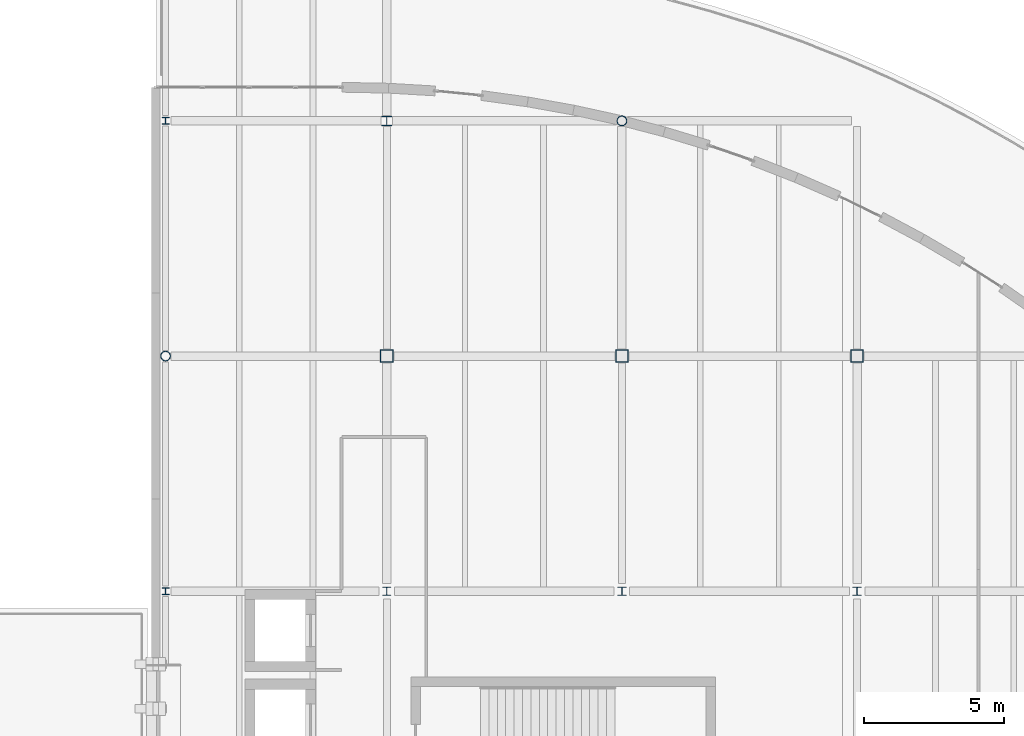
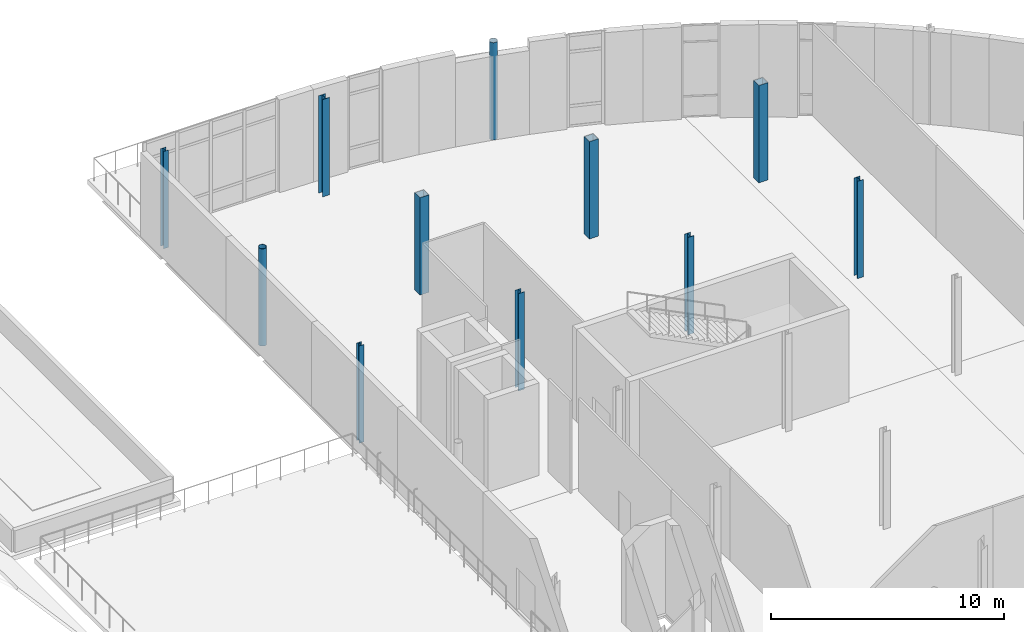
# One storey, part 11 of 91: 11 columns.
"""IFC4 building model written with IfcOpenShell, lengths in metres."""

from ifc_helpers import new_model, si_unit, direction, frame, origin, origin_2d, place, context, subcontext, project, spatial, hollow_rectangle, hollow_circle, i_section, extrude, material, material_profile, profile_set, type_object, element, save


model = new_model("IFC4")

# Units and contexts
model_context = context("Model", 3, precision=1e-05, world=origin(), true_north=direction((0.0, 1.0)))
body_context = subcontext(model_context, "Body", "Model", "MODEL_VIEW")
ifc_project = project(units=[si_unit("LENGTHUNIT", "METRE"), si_unit("AREAUNIT", "SQUARE_METRE"), si_unit("VOLUMEUNIT", "CUBIC_METRE"), si_unit("PLANEANGLEUNIT", "RADIAN"), si_unit("MASSUNIT", "GRAM", prefix="KILO"), si_unit("THERMODYNAMICTEMPERATUREUNIT", "KELVIN")], contexts=[model_context])

# Site, building, storey
site_placement = place(None, origin())
site = spatial("IfcSite", under=ifc_project, at=site_placement, CompositionType="ELEMENT")
building_placement = place(site_placement, origin())
building = spatial("IfcBuilding", under=site, at=building_placement, Name="Lustrewick Department Store", CompositionType="ELEMENT")
storey_placement = place(building_placement, frame((0.0, 0.0, 21.60009765625)))
storey = spatial("IfcBuildingStorey", under=building, at=storey_placement, Name="L05", CompositionType="ELEMENT", Elevation=21.60009765625)

# Columns
ifc_material = material(Name="Structural steel Q355B", Category="steel")
ifc_material_profile_1 = material_profile(ifc_material, hollow_rectangle(XDim=0.449951171875, YDim=0.449951171875, WallThickness=0.01806640625, at=origin_2d()), Name="BOX 450x450x18")
ifc_profile_set_1 = profile_set([ifc_material_profile_1], Name="Structural steel Q355B")
column_type_1 = type_object("IfcColumnType", Name="C07", PredefinedType="COLUMN", material=ifc_profile_set_1)
for number, where, z_axis, x_axis, name in (
    (1, (117.60009765625, 92.39990234375, 0.0), (0.0, 0.0, 1.0), (1.0, 0.0, 0.0), "L05 V4 Column C07"),
    (2, (126.0, 92.39990234375, 0.0), (0.0, 0.0, 1.0), (1.0, 0.0, 0.0), "L05 V4 Column C07"),
    (3, (134.39990234375, 92.39990234375, 0.0), (0.0, 0.0, 1.0), (1.0, 0.0, 0.0), "L05 V4 Column C07"),
):
    element("IfcColumn", number, at=place(storey_placement, frame(where, z_axis=z_axis, x_axis=x_axis)), inside=storey, type_object=column_type_1, Name=name, PredefinedType="COLUMN", context=body_context, shape_type="SweptSolid", body=[
        extrude(hollow_rectangle(XDim=0.449951171875, YDim=0.449951171875, WallThickness=0.01806640625, at=origin_2d()), origin(), (0.0, 0.0, 1.0), 5.099853515625),
    ])
ifc_material_profile_2 = material_profile(ifc_material, i_section(OverallWidth=0.347900390625, OverallDepth=0.343994140625, WebThickness=0.010009765625, FlangeThickness=0.01611328125, FilletRadius=0.02001953125, at=origin_2d()), Name="HW 344x348x10x16")
ifc_profile_set_2 = profile_set([ifc_material_profile_2], Name="Structural steel Q355B")
column_type_2 = type_object("IfcColumnType", Name="C14", PredefinedType="COLUMN", material=ifc_profile_set_2)
column_placement = place(storey_placement, frame((117.60009765625, 100.800048828125, 0.0), z_axis=(0.0, 0.0, 1.0), x_axis=(1.0, 0.0, 0.0)))
element("IfcColumn", 4, at=column_placement, inside=storey, type_object=column_type_2, Name="L05 V4 Column C14", PredefinedType="COLUMN", context=body_context, shape_type="SweptSolid", body=[
    extrude(i_section(OverallWidth=0.347900390625, OverallDepth=0.343994140625, WebThickness=0.010009765625, FlangeThickness=0.01611328125, FilletRadius=0.02001953125, at=origin_2d()), origin(), (0.0, 0.0, 1.0), 5.099853515625),
])
ifc_material_profile_3 = material_profile(ifc_material, i_section(OverallWidth=0.300048828125, OverallDepth=0.300048828125, WebThickness=0.010009765625, FlangeThickness=0.014892578125, FilletRadius=0.01806640625, at=origin_2d()), Name="HW 300x300x10x15")
ifc_profile_set_3 = profile_set([ifc_material_profile_3], Name="Structural steel Q355B")
column_type_3 = type_object("IfcColumnType", Name="C15", PredefinedType="COLUMN", material=ifc_profile_set_3)
for number, where, z_axis, x_axis, name in (
    (5, (117.60009765625, 84.0, 0.0), (0.0, 0.0, 1.0), (1.0, 0.0, 0.0), "L05 V4 Column C15"),
    (6, (126.0, 84.0, 0.0), (0.0, 0.0, 1.0), (1.0, 0.0, 0.0), "L05 V4 Column C15"),
    (7, (134.39990234375, 84.0, 0.0), (0.0, 0.0, 1.0), (1.0, 0.0, 0.0), "L05 V4 Column C15"),
):
    element("IfcColumn", number, at=place(storey_placement, frame(where, z_axis=z_axis, x_axis=x_axis)), inside=storey, type_object=column_type_3, Name=name, PredefinedType="COLUMN", context=body_context, shape_type="SweptSolid", body=[
        extrude(i_section(OverallWidth=0.300048828125, OverallDepth=0.300048828125, WebThickness=0.010009765625, FlangeThickness=0.014892578125, FilletRadius=0.01806640625, at=origin_2d()), origin(), (0.0, 0.0, 1.0), 5.099853515625),
    ])
ifc_material_profile_4 = material_profile(ifc_material, hollow_circle(Radius=0.177978515625, WallThickness=0.013916015625, at=origin_2d()), Name="CHS 356x14")
ifc_profile_set_4 = profile_set([ifc_material_profile_4], Name="Structural steel Q355B")
column_type_4 = type_object("IfcColumnType", Name="CE05", PredefinedType="COLUMN", material=ifc_profile_set_4)
for number, where, z_axis, x_axis, name in (
    (8, (109.699951171875, 92.39990234375, 0.0), (0.0, 0.0, 1.0), (1.0, 0.0, 0.0), "L05 V4 Column CE05"),
    (9, (126.0, 100.800048828125, 0.0), (0.0, 0.0, 1.0), (1.0, 0.0, 0.0), "L05 V4 Column CE05"),
):
    element("IfcColumn", number, at=place(storey_placement, frame(where, z_axis=z_axis, x_axis=x_axis)), inside=storey, type_object=column_type_4, Name=name, PredefinedType="COLUMN", context=body_context, shape_type="SweptSolid", body=[
        extrude(hollow_circle(Radius=0.177978515625, WallThickness=0.013916015625, at=origin_2d()), origin(), (0.0, 0.0, 1.0), 5.099853515625),
    ])
ifc_material_profile_5 = material_profile(ifc_material, i_section(OverallWidth=0.25, OverallDepth=0.25, WebThickness=0.009033203125, FlangeThickness=0.013916015625, FilletRadius=0.01611328125, at=origin_2d()), Name="HW 250x250x9x14")
ifc_profile_set_5 = profile_set([ifc_material_profile_5], Name="Structural steel Q355B")
column_type_5 = type_object("IfcColumnType", Name="CE08", PredefinedType="COLUMN", material=ifc_profile_set_5)
for number, where, z_axis, x_axis, name in (
    (10, (109.699951171875, 84.0, 0.0), (0.0, 0.0, 1.0), (1.0, 0.0, 0.0), "L05 V4 Column CE08"),
    (11, (109.699951171875, 100.800048828125, 0.0), (0.0, 0.0, 1.0), (1.0, 0.0, 0.0), "L05 V4 Column CE08"),
):
    element("IfcColumn", number, at=place(storey_placement, frame(where, z_axis=z_axis, x_axis=x_axis)), inside=storey, type_object=column_type_5, Name=name, PredefinedType="COLUMN", context=body_context, shape_type="SweptSolid", body=[
        extrude(i_section(OverallWidth=0.25, OverallDepth=0.25, WebThickness=0.009033203125, FlangeThickness=0.013916015625, FilletRadius=0.01611328125, at=origin_2d()), origin(), (0.0, 0.0, 1.0), 5.099853515625),
    ])

save(model, "model.ifc")
